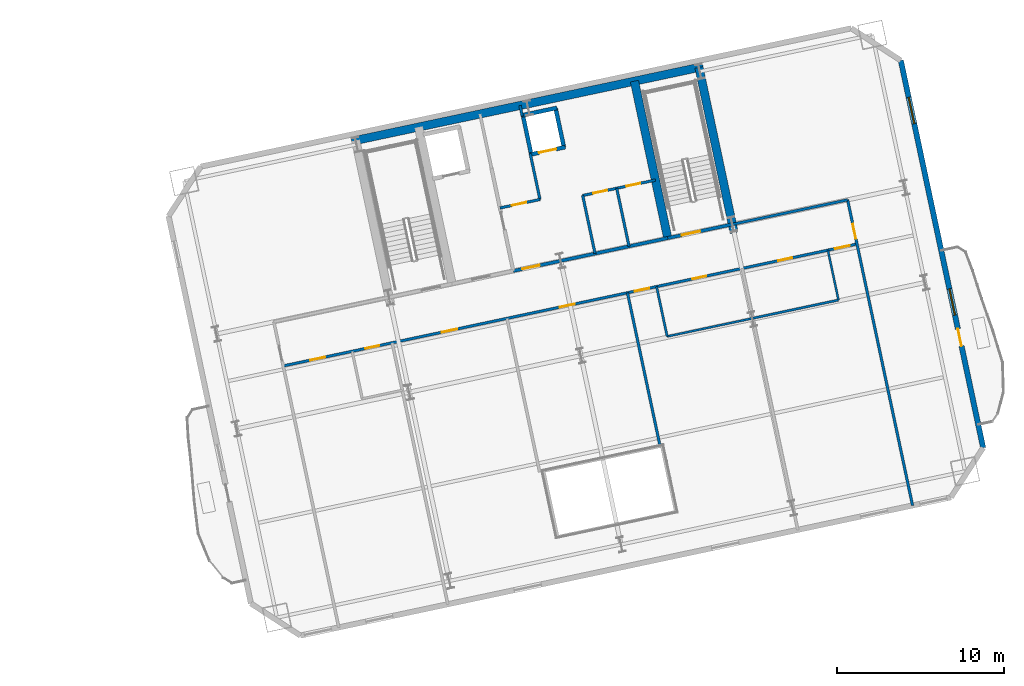
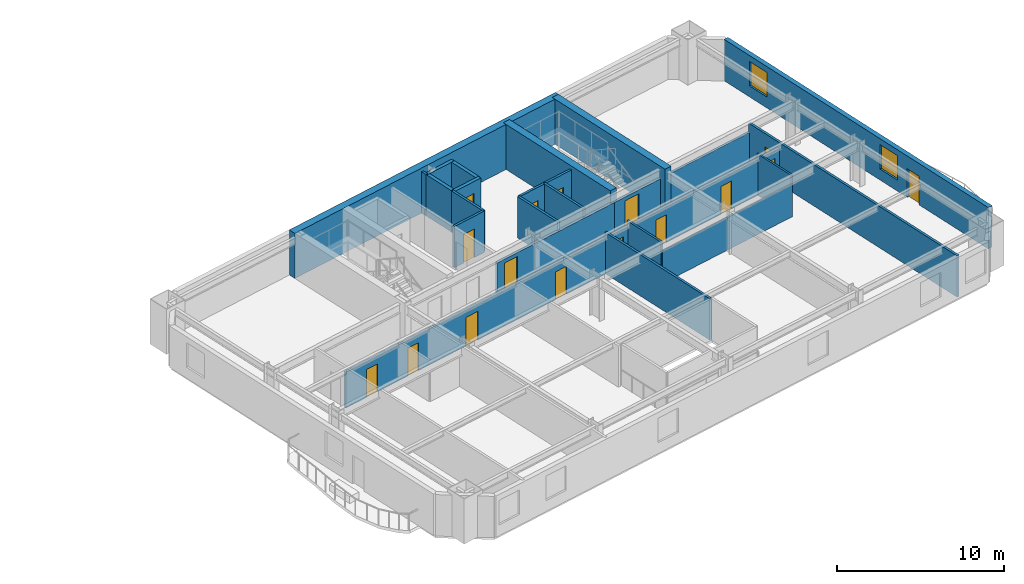
# One storey, part 8 of 14: 24 walls, 16 doors, 2 windows, 18 openings.
"""IFC4 building model written with IfcOpenShell, lengths in metres."""

from ifc_helpers import new_model, si_unit, direction, frame, frame_2d, origin, place, context, subcontext, project, spatial, rectangle, extrude, material, layer, layer_set, type_object, element, fill, save


model = new_model("IFC4")

# Units and contexts
model_context = context("Model", 3, precision=1e-05, world=origin(), true_north=direction((0.0, 1.0)))
body_context = subcontext(model_context, "Body", "Model", "MODEL_VIEW")
ifc_project = project(units=[si_unit("LENGTHUNIT", "METRE"), si_unit("AREAUNIT", "SQUARE_METRE"), si_unit("VOLUMEUNIT", "CUBIC_METRE"), si_unit("PLANEANGLEUNIT", "RADIAN"), si_unit("MASSUNIT", "GRAM", prefix="KILO")], contexts=[model_context])

# Site, building, storey
site_placement = place(None, origin())
site = spatial("IfcSite", under=ifc_project, at=site_placement, CompositionType="ELEMENT")
building_placement = place(site_placement, origin())
building = spatial("IfcBuilding", under=site, at=building_placement, Name="Haevon Station Towers", CompositionType="ELEMENT")
storey_placement = place(building_placement, frame((0.0, 0.0, 86.699951171875)))
storey = spatial("IfcBuildingStorey", under=building, at=storey_placement, Name="L22", CompositionType="ELEMENT", Elevation=86.699951171875)

# Wall, opening, door
ifc_material_1 = material(Name="Gypsum board on steel stud", Category="steel")
ifc_layer_1 = layer(ifc_material_1, 0.199951171875)
ifc_layer_set_1 = layer_set([ifc_layer_1], Name="Gypsum board on steel stud")
wall_type_1 = type_object("IfcWallType", Name="WL-COR200", PredefinedType="PARTITIONING", material=ifc_layer_set_1)
wall_1_placement = place(storey_placement, frame((115.4296875, 40.9873046875, 0.0), z_axis=(0.0, 0.0, 1.0), x_axis=(0.978146596989, 0.207916413008, 0.0)))
wall_1 = element("IfcWall", 1, at=wall_1_placement, inside=storey, type_object=wall_type_1, Name="WL-ST-ST4-L22", PredefinedType="PARTITIONING", context=body_context, shape_type="SweptSolid", body=[
    extrude(rectangle(XDim=3.9501953125, YDim=0.199951171875, at=frame_2d((1.97509765625, 0.0))), origin(), (0.0, 0.0, 1.0), 2.380126953125),
])
opening_1_placement = place(wall_1_placement, frame((0.85009765625, 0.0, 0.0)))
opening_1 = element("IfcOpeningElement", 2, at=opening_1_placement, cuts=wall_1, Name="Opening DR-ST-ST4-L22", PredefinedType="OPENING", context=body_context, shape_type="SweptSolid", body=[
    extrude(rectangle(XDim=1.1201171875, YDim=2.10009765625, at=frame_2d((0.56005859375, 1.050048828125))), frame((0.0, 0.10986328125, 0.0), z_axis=(0.0, -1.0, 0.0), x_axis=(1.0, 0.0, 0.0)), (0.0, 0.0, 1.0), 0.219970703125),
])
ifc_material_2 = material(Name="Engineered oak timber", Category="wood")
door_type_1 = type_object("IfcDoorType", Name="DR-ST-1120", OperationType="NOTDEFINED", PredefinedType="DOOR", material=ifc_material_2)
door_1_placement = place(opening_1_placement, origin())
door_1 = element("IfcDoor", 3, at=door_1_placement, inside=storey, type_object=door_type_1, Name="L22 Escape Stair ST4 Fire Door", OperationType="SINGLE_SWING_LEFT", OverallHeight=2.10009765625, OverallWidth=1.1201171875, PredefinedType="DOOR", context=body_context, shape_type="SweptSolid", body=[
    extrude(rectangle(XDim=1.1201171875, YDim=2.10009765625, at=frame_2d((0.56005859375, 1.050048828125))), frame((0.0, 0.02490234375, 0.0), z_axis=(0.0, -1.0, 0.0), x_axis=(1.0, 0.0, 0.0)), (0.0, 0.0, 1.0), 0.050048828125),
])
fill(opening_1, door_1)

wall_2_placement = place(storey_placement, frame((106.186279296875, 39.0224609375, 0.0), z_axis=(0.0, 0.0, 1.0), x_axis=(0.978145519981, 0.20792147975, 0.0)))
wall_2 = element("IfcWall", 4, at=wall_2_placement, inside=storey, type_object=wall_type_1, Name="WL-T2CLB-L22", PredefinedType="PARTITIONING", context=body_context, shape_type="SweptSolid", body=[
    extrude(rectangle(XDim=9.449951171875, YDim=0.199951171875, at=frame_2d((4.72509765625, 0.0))), origin(), (0.0, 0.0, 1.0), 2.380126953125),
])
opening_2_placement = place(wall_2_placement, frame((0.550048828125, 0.0, 0.0)))
opening_2 = element("IfcOpeningElement", 5, at=opening_2_placement, cuts=wall_2, Name="Opening DR-T2CLB-L22-1", PredefinedType="OPENING", context=body_context, shape_type="SweptSolid", body=[
    extrude(rectangle(XDim=1.050048828125, YDim=2.10009765625, at=frame_2d((0.52490234375, 1.050048828125))), frame((0.0, 0.10986328125, 0.0), z_axis=(0.0, -1.0, 0.0), x_axis=(1.0, 0.0, 0.0)), (0.0, 0.0, 1.0), 0.219970703125),
])
door_type_2 = type_object("IfcDoorType", Name="DR-FD60-1050", OperationType="NOTDEFINED", PredefinedType="DOOR", material=ifc_material_2)
door_2_placement = place(opening_2_placement, origin())
door_2 = element("IfcDoor", 6, at=door_2_placement, inside=storey, type_object=door_type_2, Name="L22 Tower 2 Core Lift Lobby Door 1", OperationType="SINGLE_SWING_RIGHT", OverallHeight=2.10009765625, OverallWidth=1.050048828125, PredefinedType="DOOR", context=body_context, shape_type="SweptSolid", body=[
    extrude(rectangle(XDim=1.050048828125, YDim=2.10009765625, at=frame_2d((0.52490234375, 1.050048828125))), frame((0.0, 0.02490234375, 0.0), z_axis=(0.0, -1.0, 0.0), x_axis=(1.0, 0.0, 0.0)), (0.0, 0.0, 1.0), 0.050048828125),
])
fill(opening_2, door_2)

# Walls
ifc_material_3 = material(Name="Concrete C60/75", Category="concrete")
ifc_layer_2 = layer(ifc_material_3, 0.5)
ifc_layer_set_2 = layer_set([ifc_layer_2], Name="Concrete C60/75")
wall_type_2 = type_object("IfcWallType", Name="WL-CR500", PredefinedType="SHEAR", material=ifc_layer_set_2)
wall_3_placement = place(storey_placement, frame((96.511962890625, 46.78076171875, 0.0), z_axis=(0.0, 0.0, 1.0), x_axis=(0.978148546782, 0.207907239961, 0.0)))
element("IfcWall", 7, at=wall_3_placement, inside=storey, type_object=wall_type_2, Name="WL-T2CR-L22-N", PredefinedType="SHEAR", context=body_context, shape_type="SweptSolid", body=[
    extrude(rectangle(XDim=21.499755859375, YDim=0.5, at=frame_2d((10.75, 0.0))), origin(), (0.0, 0.0, 1.0), 3.300048828125),
])
wall_4_placement = place(storey_placement, frame((119.401611328125, 41.2998046875, 0.0), z_axis=(0.0, 0.0, 1.0), x_axis=(-0.207904342798, 0.978149162575, 0.0)))
element("IfcWall", 8, at=wall_4_placement, inside=storey, type_object=wall_type_2, Name="WL-T2CR-L22-E", PredefinedType="SHEAR", context=body_context, shape_type="SweptSolid", body=[
    extrude(rectangle(XDim=10.1201171875, YDim=0.5, at=frame_2d((5.06005859375, 0.0))), origin(), (0.0, 0.0, 1.0), 3.300048828125),
])
wall_5_placement = place(storey_placement, frame((115.4296875, 40.9873046875, 0.0), z_axis=(0.0, 0.0, 1.0), x_axis=(-0.207903162969, 0.978149413345, 0.0)))
element("IfcWall", 9, at=wall_5_placement, inside=storey, type_object=wall_type_2, Name="WL-T2CR-L22-M2", PredefinedType="SHEAR", context=body_context, shape_type="SweptSolid", body=[
    extrude(rectangle(XDim=9.599853515625, YDim=0.5, at=frame_2d((4.7998046875, 0.0))), origin(), (0.0, 0.0, 1.0), 3.300048828125),
])

# Wall, openings, door, windows
ifc_material_4 = material(Name="Precast concrete C45/55", Category="concrete")
ifc_layer_3 = layer(ifc_material_4, 0.320068359375)
ifc_layer_set_3 = layer_set([ifc_layer_3], Name="Precast concrete C45/55")
wall_type_3 = type_object("IfcWallType", Name="WL-EXT-PIER320", PredefinedType="SOLIDWALL", material=ifc_layer_set_3)
wall_6_placement = place(storey_placement, frame((129.3740234375, 51.618896484375, 0.0), z_axis=(0.0, 0.0, 1.0), x_axis=(0.20791074704, -0.978147801339, 0.0)))
wall_6 = element("IfcWall", 10, at=wall_6_placement, inside=storey, type_object=wall_type_3, Name="WL-T2-L22-E", PredefinedType="SOLIDWALL", context=body_context, shape_type="SweptSolid", body=[
    extrude(rectangle(XDim=23.699951171875, YDim=0.320068359375, at=frame_2d((11.85009765625, 0.0))), origin(), (0.0, 0.0, 1.0), 3.030029296875),
])
opening_3_placement = place(wall_6_placement, frame((16.425048828125, 0.0, 0.0)))
opening_3 = element("IfcOpeningElement", 11, at=opening_3_placement, cuts=wall_6, Name="Opening DR-T2-SCAL-L22-E", PredefinedType="OPENING", context=body_context, shape_type="SweptSolid", body=[
    extrude(rectangle(XDim=1.050048828125, YDim=2.10009765625, at=frame_2d((0.52490234375, 1.050048828125))), frame((0.0, 0.169921875, 0.0), z_axis=(0.0, -1.0, 0.0), x_axis=(1.0, 0.0, 0.0)), (0.0, 0.0, 1.0), 0.340087890625),
])
opening_4_placement = place(wall_6_placement, frame((2.264404296875, 0.0, 0.800048828125)))
opening_4 = element("IfcOpeningElement", 12, at=opening_4_placement, cuts=wall_6, Name="Opening WN-END160", PredefinedType="OPENING", context=body_context, shape_type="SweptSolid", body=[
    extrude(rectangle(XDim=1.60009765625, YDim=1.800048828125, at=frame_2d((0.800048828125, 0.89990234375))), frame((0.0, 0.169921875, 0.0), z_axis=(0.0, -1.0, 0.0), x_axis=(1.0, 0.0, 0.0)), (0.0, 0.0, 1.0), 0.340087890625),
])
opening_5_placement = place(wall_6_placement, frame((13.978515625, 0.0, 0.800048828125)))
opening_5 = element("IfcOpeningElement", 13, at=opening_5_placement, cuts=wall_6, Name="Opening WN-END160", PredefinedType="OPENING", context=body_context, shape_type="SweptSolid", body=[
    extrude(rectangle(XDim=1.60009765625, YDim=1.800048828125, at=frame_2d((0.800048828125, 0.89990234375))), frame((0.0, 0.169921875, 0.0), z_axis=(0.0, -1.0, 0.0), x_axis=(1.0, 0.0, 0.0)), (0.0, 0.0, 1.0), 0.340087890625),
])
ifc_material_5 = material(Name="Thermally broken anodised aluminium and laminated safety glass", Category="aluminium")
door_type_3 = type_object("IfcDoorType", Name="DR-BALC-1050", OperationType="NOTDEFINED", PredefinedType="DOOR", material=ifc_material_5)
door_3_placement = place(opening_3_placement, origin())
door_3 = element("IfcDoor", 14, at=door_3_placement, inside=storey, type_object=door_type_3, Name="Tower 2 L22 East Scalloped Balcony Door", OperationType="SINGLE_SWING_RIGHT", OverallHeight=2.10009765625, OverallWidth=1.050048828125, PredefinedType="DOOR", context=body_context, shape_type="SweptSolid", body=[
    extrude(rectangle(XDim=1.050048828125, YDim=2.10009765625, at=frame_2d((0.52490234375, 1.050048828125))), frame((0.0, 0.02490234375, 0.0), z_axis=(0.0, -1.0, 0.0), x_axis=(1.0, 0.0, 0.0)), (0.0, 0.0, 1.0), 0.050048828125),
])
fill(opening_3, door_3)
ifc_material_6 = material(Name="Low-E triple glazing in thermally broken aluminium", Category="aluminium")
window_type = type_object("IfcWindowType", Name="WN-END160", PartitioningType="SINGLE_PANEL", PredefinedType="WINDOW", material=ifc_material_6)
window_1_placement = place(opening_4_placement, origin())
window_1 = element("IfcWindow", 15, at=window_1_placement, inside=storey, type_object=window_type, Name="WN-T2-L22-E01", OverallHeight=1.800048828125, OverallWidth=1.60009765625, PartitioningType="SINGLE_PANEL", PredefinedType="WINDOW", context=body_context, shape_type="SweptSolid", body=[
    extrude(rectangle(XDim=1.60009765625, YDim=1.800048828125, at=frame_2d((0.800048828125, 0.89990234375))), frame((0.0, 0.030029296875, 0.0), z_axis=(0.0, -1.0, 0.0), x_axis=(1.0, 0.0, 0.0)), (0.0, 0.0, 1.0), 0.06005859375),
])
fill(opening_4, window_1)
window_2_placement = place(opening_5_placement, origin())
window_2 = element("IfcWindow", 16, at=window_2_placement, inside=storey, type_object=window_type, Name="WN-T2-L22-E02", OverallHeight=1.800048828125, OverallWidth=1.60009765625, PartitioningType="SINGLE_PANEL", PredefinedType="WINDOW", context=body_context, shape_type="SweptSolid", body=[
    extrude(rectangle(XDim=1.60009765625, YDim=1.800048828125, at=frame_2d((0.800048828125, 0.89990234375))), frame((0.0, 0.030029296875, 0.0), z_axis=(0.0, -1.0, 0.0), x_axis=(1.0, 0.0, 0.0)), (0.0, 0.0, 1.0), 0.06005859375),
])
fill(opening_5, window_2)

# Walls
ifc_layer_4 = layer(ifc_material_1, 0.125)
ifc_layer_set_4 = layer_set([ifc_layer_4], Name="Gypsum board on steel stud")
wall_type_4 = type_object("IfcWallType", Name="WL-PRT125", PredefinedType="PARTITIONING", material=ifc_layer_set_4)
wall_7_placement = place(storey_placement, frame((115.392822265625, 35.10107421875, 0.0), z_axis=(0.0, 0.0, 1.0), x_axis=(0.978151508714, 0.207893304367, 0.0)))
element("IfcWall", 17, at=wall_7_placement, inside=storey, type_object=wall_type_4, Name="WL-T2PT-L22-15", PredefinedType="PARTITIONING", context=body_context, shape_type="SweptSolid", body=[
    extrude(rectangle(XDim=5.239990234375, YDim=0.125, at=frame_2d((2.6201171875, 0.0))), origin(), (0.0, 0.0, 1.0), 2.380126953125),
])
wall_8_placement = place(storey_placement, frame((125.643798828125, 37.27978515625, 0.0), z_axis=(0.0, 0.0, 1.0), x_axis=(-0.207877902534, 0.978154782045, 0.0)))
element("IfcWall", 18, at=wall_8_placement, inside=storey, type_object=wall_type_4, Name="WL-T2PT-L22-19", PredefinedType="PARTITIONING", context=body_context, shape_type="SweptSolid", body=[
    extrude(rectangle(XDim=3.050048828125, YDim=0.125, at=frame_2d((1.52490234375, 0.0))), origin(), (0.0, 0.0, 1.0), 3.030029296875),
])
ifc_layer_5 = layer(ifc_material_1, 0.139892578125)
ifc_layer_set_5 = layer_set([ifc_layer_5], Name="Gypsum board on steel stud")
wall_type_5 = type_object("IfcWallType", Name="WL-PRT140", PredefinedType="PARTITIONING", material=ifc_layer_set_5)
wall_9_placement = place(storey_placement, frame((115.392822265625, 35.10107421875, 0.0), z_axis=(0.0, 0.0, 1.0), x_axis=(-0.207970769876, 0.978135041228, 0.0)))
element("IfcWall", 19, at=wall_9_placement, inside=storey, type_object=wall_type_5, Name="WL-T2PT-L22-16", PredefinedType="PARTITIONING", context=body_context, shape_type="SweptSolid", body=[
    extrude(rectangle(XDim=3.0498046875, YDim=0.139892578125, at=frame_2d((1.52490234375, 0.0))), origin(), (0.0, 0.0, 1.0), 3.030029296875),
])
wall_10_placement = place(storey_placement, frame((120.518310546875, 36.1904296875, 0.0), z_axis=(0.0, 0.0, 1.0), x_axis=(0.978151508714, 0.207893304367, 0.0)))
element("IfcWall", 20, at=wall_10_placement, inside=storey, type_object=wall_type_5, Name="WL-T2PT-L22-18", PredefinedType="PARTITIONING", context=body_context, shape_type="SweptSolid", body=[
    extrude(rectangle(XDim=5.239990234375, YDim=0.139892578125, at=frame_2d((2.6201171875, 0.0))), origin(), (0.0, 0.0, 1.0), 2.380126953125),
])

# Wall, opening, door
ifc_layer_6 = layer(ifc_material_1, 0.159912109375)
ifc_layer_set_6 = layer_set([ifc_layer_6], Name="Gypsum board on steel stud")
wall_type_6 = type_object("IfcWallType", Name="WL-PRT160", PredefinedType="PARTITIONING", material=ifc_layer_set_6)
wall_11_placement = place(storey_placement, frame((105.3857421875, 42.788330078125, 0.0), z_axis=(0.0, 0.0, 1.0), x_axis=(0.978136559131, 0.207963630695, 0.0)))
wall_11 = element("IfcWall", 21, at=wall_11_placement, inside=storey, type_object=wall_type_6, Name="WL-T2CW-L22-02", PredefinedType="PARTITIONING", context=body_context, shape_type="SweptSolid", body=[
    extrude(rectangle(XDim=2.449951171875, YDim=0.159912109375, at=frame_2d((1.22509765625, 0.0))), origin(), (0.0, 0.0, 1.0), 3.030029296875),
])
opening_6_placement = place(wall_11_placement, frame((0.719970703125, 0.0, 0.0)))
opening_6 = element("IfcOpeningElement", 22, at=opening_6_placement, cuts=wall_11, Name="Opening DR-WL-T2CW-L22-02-1", PredefinedType="OPENING", context=body_context, shape_type="SweptSolid", body=[
    extrude(rectangle(XDim=0.89990234375, YDim=2.10009765625, at=frame_2d((0.449951171875, 1.050048828125))), frame((0.0, 0.08984375, 0.0), z_axis=(0.0, -1.0, 0.0), x_axis=(1.0, 0.0, 0.0)), (0.0, 0.0, 1.0), 0.179931640625),
])
door_type_4 = type_object("IfcDoorType", Name="DR-FD60-900", OperationType="NOTDEFINED", PredefinedType="DOOR", material=ifc_material_2)
door_4_placement = place(opening_6_placement, origin())
door_4 = element("IfcDoor", 23, at=door_4_placement, inside=storey, type_object=door_type_4, Name="L22 Tower 2 Core Room Door 2-1", OperationType="SINGLE_SWING_LEFT", OverallHeight=2.10009765625, OverallWidth=0.89990234375, PredefinedType="DOOR", context=body_context, shape_type="SweptSolid", body=[
    extrude(rectangle(XDim=0.89990234375, YDim=2.10009765625, at=frame_2d((0.449951171875, 1.050048828125))), frame((0.0, 0.02490234375, 0.0), z_axis=(0.0, -1.0, 0.0), x_axis=(1.0, 0.0, 0.0)), (0.0, 0.0, 1.0), 0.050048828125),
])
fill(opening_6, door_4)

# Walls
wall_12_placement = place(storey_placement, frame((107.7822265625, 43.2978515625, 0.0), z_axis=(0.0, 0.0, 1.0), x_axis=(-0.207873355681, 0.978155748334, 0.0)))
element("IfcWall", 24, at=wall_12_placement, inside=storey, type_object=wall_type_6, Name="WL-T2CW-L22-03", PredefinedType="PARTITIONING", context=body_context, shape_type="SweptSolid", body=[
    extrude(rectangle(XDim=2.800048828125, YDim=0.159912109375, at=frame_2d((1.39990234375, 0.0))), origin(), (0.0, 0.0, 1.0), 3.030029296875),
])
wall_13_placement = place(storey_placement, frame((106.721923828125, 48.286376953125, 0.0), z_axis=(0.0, 0.0, 1.0), x_axis=(-0.208092352933, 0.978109182377, 0.0)))
element("IfcWall", 25, at=wall_13_placement, inside=storey, type_object=wall_type_6, Name="WL-T2CW-L22-04", PredefinedType="PARTITIONING", context=body_context, shape_type="SweptSolid", body=[
    extrude(rectangle(XDim=0.64990234375, YDim=0.159912109375, at=frame_2d((0.324951171875, 0.0))), origin(), (0.0, 0.0, 1.0), 3.030029296875),
])
for number, where, z_axis, x_axis, name in (
    (26, (111.076904296875, 40.06201171875, 0.0), (0.0, 0.0, 1.0), (-0.207899058817, 0.978150285663, 0.0), "WL-T2CW-L22-05"),
    (27, (113.111572265625, 40.49462890625, 0.0), (0.0, 0.0, 1.0), (-0.207899058817, 0.978150285663, 0.0), "WL-T2CW-L22-06"),
):
    element("IfcWall", number, at=place(storey_placement, frame(where, z_axis=z_axis, x_axis=x_axis)), inside=storey, type_object=wall_type_6, Name=name, PredefinedType="PARTITIONING", context=body_context, shape_type="SweptSolid", body=[
        extrude(rectangle(XDim=3.550048828125, YDim=0.159912109375, at=frame_2d((1.77490234375, 0.0))), origin(), (0.0, 0.0, 1.0), 3.030029296875),
    ])

# Wall, openings, doors
wall_14_placement = place(storey_placement, frame((110.3388671875, 43.534423828125, 0.0), z_axis=(0.0, 0.0, 1.0), x_axis=(0.978143929138, 0.207928963567, 0.0)))
wall_14 = element("IfcWall", 28, at=wall_14_placement, inside=storey, type_object=wall_type_6, Name="WL-T2CW-L22-07", PredefinedType="PARTITIONING", context=body_context, shape_type="SweptSolid", body=[
    extrude(rectangle(XDim=4.449951171875, YDim=0.159912109375, at=frame_2d((2.22509765625, 0.0))), origin(), (0.0, 0.0, 1.0), 3.030029296875),
])
opening_7_placement = place(wall_14_placement, frame((0.635009765625, 0.0, 0.0)))
opening_7 = element("IfcOpeningElement", 29, at=opening_7_placement, cuts=wall_14, Name="Opening DR-WL-T2CW-L22-07-1", PredefinedType="OPENING", context=body_context, shape_type="SweptSolid", body=[
    extrude(rectangle(XDim=0.85009765625, YDim=2.050048828125, at=frame_2d((0.425048828125, 1.02490234375))), frame((0.0, 0.08984375, 0.0), z_axis=(0.0, -1.0, 0.0), x_axis=(1.0, 0.0, 0.0)), (0.0, 0.0, 1.0), 0.179931640625),
])
opening_8_placement = place(wall_14_placement, frame((2.679931640625, 0.0, 0.0)))
opening_8 = element("IfcOpeningElement", 30, at=opening_8_placement, cuts=wall_14, Name="Opening DR-WL-T2CW-L22-07-2", PredefinedType="OPENING", context=body_context, shape_type="SweptSolid", body=[
    extrude(rectangle(XDim=0.85009765625, YDim=2.050048828125, at=frame_2d((0.425048828125, 1.02490234375))), frame((0.0, 0.08984375, 0.0), z_axis=(0.0, -1.0, 0.0), x_axis=(1.0, 0.0, 0.0)), (0.0, 0.0, 1.0), 0.179931640625),
])
door_type_5 = type_object("IfcDoorType", Name="DR-FD30-850", OperationType="NOTDEFINED", PredefinedType="DOOR", material=ifc_material_2)
door_5_placement = place(opening_7_placement, origin())
door_5 = element("IfcDoor", 31, at=door_5_placement, inside=storey, type_object=door_type_5, Name="L22 Tower 2 Core Room Door 7-1", OperationType="SINGLE_SWING_RIGHT", OverallHeight=2.050048828125, OverallWidth=0.85009765625, PredefinedType="DOOR", context=body_context, shape_type="SweptSolid", body=[
    extrude(rectangle(XDim=0.85009765625, YDim=2.050048828125, at=frame_2d((0.425048828125, 1.02490234375))), frame((0.0, 0.02490234375, 0.0), z_axis=(0.0, -1.0, 0.0), x_axis=(1.0, 0.0, 0.0)), (0.0, 0.0, 1.0), 0.050048828125),
])
fill(opening_7, door_5)
door_6_placement = place(opening_8_placement, origin())
door_6 = element("IfcDoor", 32, at=door_6_placement, inside=storey, type_object=door_type_5, Name="L22 Tower 2 Core Room Door 7-2", OperationType="SINGLE_SWING_LEFT", OverallHeight=2.050048828125, OverallWidth=0.85009765625, PredefinedType="DOOR", context=body_context, shape_type="SweptSolid", body=[
    extrude(rectangle(XDim=0.85009765625, YDim=2.050048828125, at=frame_2d((0.425048828125, 1.02490234375))), frame((0.0, 0.02490234375, 0.0), z_axis=(0.0, -1.0, 0.0), x_axis=(1.0, 0.0, 0.0)), (0.0, 0.0, 1.0), 0.050048828125),
])
fill(opening_8, door_6)

# Wall
wall_15_placement = place(storey_placement, frame((119.29345703125, 41.80859375, 0.0), z_axis=(0.0, 0.0, 1.0), x_axis=(0.978146703791, 0.207915910556, 0.0)))
element("IfcWall", 33, at=wall_15_placement, inside=storey, type_object=wall_type_6, Name="WL-T2PT-L22-02", PredefinedType="PARTITIONING", context=body_context, shape_type="SweptSolid", body=[
    extrude(rectangle(XDim=7.050048828125, YDim=0.159912109375, at=frame_2d((3.52490234375, 0.0))), origin(), (0.0, 0.0, 1.0), 2.380126953125),
])

# Wall, opening, door
wall_16_placement = place(storey_placement, frame((130.077392578125, 24.98291015625, 0.0), z_axis=(0.0, 0.0, 1.0), x_axis=(-0.207909658332, 0.97814803275, 0.0)))
wall_16 = element("IfcWall", 34, at=wall_16_placement, inside=storey, type_object=wall_type_6, Name="WL-T2PT-L22-04", PredefinedType="PARTITIONING", context=body_context, shape_type="SweptSolid", body=[
    extrude(rectangle(XDim=18.7001953125, YDim=0.159912109375, at=frame_2d((9.35009765625, 0.0))), origin(), (0.0, 0.0, 1.0), 3.030029296875),
])
opening_9_placement = place(wall_16_placement, frame((16.320068359375, 0.0, 0.0)))
opening_9 = element("IfcOpeningElement", 35, at=opening_9_placement, cuts=wall_16, Name="Opening DR-WL-T2PT-L22-04-01", PredefinedType="OPENING", context=body_context, shape_type="SweptSolid", body=[
    extrude(rectangle(XDim=0.89990234375, YDim=2.050048828125, at=frame_2d((0.449951171875, 1.02490234375))), frame((0.0, 0.08984375, 0.0), z_axis=(0.0, -1.0, 0.0), x_axis=(1.0, 0.0, 0.0)), (0.0, 0.0, 1.0), 0.179931640625),
])
door_type_6 = type_object("IfcDoorType", Name="DR-INT-900", OperationType="NOTDEFINED", PredefinedType="DOOR", material=ifc_material_2)
door_7_placement = place(opening_9_placement, origin())
door_7 = element("IfcDoor", 36, at=door_7_placement, inside=storey, type_object=door_type_6, Name="L22 Tower 2 Room Door 4-1", OperationType="SINGLE_SWING_LEFT", OverallHeight=2.050048828125, OverallWidth=0.89990234375, PredefinedType="DOOR", context=body_context, shape_type="SweptSolid", body=[
    extrude(rectangle(XDim=0.89990234375, YDim=2.050048828125, at=frame_2d((0.449951171875, 1.02490234375))), frame((0.0, 0.02490234375, 0.0), z_axis=(0.0, -1.0, 0.0), x_axis=(1.0, 0.0, 0.0)), (0.0, 0.0, 1.0), 0.050048828125),
])
fill(opening_9, door_7)

# Wall
wall_17_placement = place(storey_placement, frame((114.971923828125, 28.519775390625, 0.0), z_axis=(0.0, 0.0, 1.0), x_axis=(-0.207909388017, 0.978148090206, 0.0)))
element("IfcWall", 37, at=wall_17_placement, inside=storey, type_object=wall_type_6, Name="WL-T2PT-L22-13", PredefinedType="PARTITIONING", context=body_context, shape_type="SweptSolid", body=[
    extrude(rectangle(XDim=9.39990234375, YDim=0.159912109375, at=frame_2d((4.699951171875, 0.0))), origin(), (0.0, 0.0, 1.0), 3.030029296875),
])

# Wall, openings, doors
wall_18_placement = place(storey_placement, frame((92.417724609375, 33.335693359375, 0.0), z_axis=(0.0, 0.0, 1.0), x_axis=(0.978148172424, 0.207909001208, 0.0)))
wall_18 = element("IfcWall", 38, at=wall_18_placement, inside=storey, type_object=wall_type_6, Name="WL-T2PT-L22-20", PredefinedType="PARTITIONING", context=body_context, shape_type="SweptSolid", body=[
    extrude(rectangle(XDim=35.10009765625, YDim=0.159912109375, at=frame_2d((17.550048828125, 0.0))), origin(), (0.0, 0.0, 1.0), 2.630126953125),
])
opening_10_placement = place(wall_18_placement, frame((5.01904296875, 0.0, 0.0)))
opening_10 = element("IfcOpeningElement", 39, at=opening_10_placement, cuts=wall_18, Name="Opening DR-WL-T2PT-L22-20-01", PredefinedType="OPENING", context=body_context, shape_type="SweptSolid", body=[
    extrude(rectangle(XDim=0.85009765625, YDim=2.050048828125, at=frame_2d((0.425048828125, 1.02490234375))), frame((0.0, 0.08984375, 0.0), z_axis=(0.0, -1.0, 0.0), x_axis=(1.0, 0.0, 0.0)), (0.0, 0.0, 1.0), 0.179931640625),
])
opening_11_placement = place(wall_18_placement, frame((1.659912109375, 0.0, 0.0)))
opening_11 = element("IfcOpeningElement", 40, at=opening_11_placement, cuts=wall_18, Name="Opening DR-WL-T2PT-L22-20-02", PredefinedType="OPENING", context=body_context, shape_type="SweptSolid", body=[
    extrude(rectangle(XDim=0.89990234375, YDim=2.050048828125, at=frame_2d((0.449951171875, 1.02490234375))), frame((0.0, 0.08984375, 0.0), z_axis=(0.0, -1.0, 0.0), x_axis=(1.0, 0.0, 0.0)), (0.0, 0.0, 1.0), 0.179931640625),
])
opening_12_placement = place(wall_18_placement, frame((9.7041015625, 0.0, 0.0)))
opening_12 = element("IfcOpeningElement", 41, at=opening_12_placement, cuts=wall_18, Name="Opening DR-WL-T2PT-L22-20-03", PredefinedType="OPENING", context=body_context, shape_type="SweptSolid", body=[
    extrude(rectangle(XDim=0.949951171875, YDim=2.10009765625, at=frame_2d((0.47509765625, 1.050048828125))), frame((0.0, 0.08984375, 0.0), z_axis=(0.0, -1.0, 0.0), x_axis=(1.0, 0.0, 0.0)), (0.0, 0.0, 1.0), 0.179931640625),
])
opening_13_placement = place(wall_18_placement, frame((16.925048828125, 0.0, 0.0)))
opening_13 = element("IfcOpeningElement", 42, at=opening_13_placement, cuts=wall_18, Name="Opening DR-WL-T2PT-L22-20-04", PredefinedType="OPENING", context=body_context, shape_type="SweptSolid", body=[
    extrude(rectangle(XDim=0.89990234375, YDim=2.050048828125, at=frame_2d((0.449951171875, 1.02490234375))), frame((0.0, 0.08984375, 0.0), z_axis=(0.0, -1.0, 0.0), x_axis=(1.0, 0.0, 0.0)), (0.0, 0.0, 1.0), 0.179931640625),
])
opening_14_placement = place(wall_18_placement, frame((25.034912109375, 0.0, 0.0)))
opening_14 = element("IfcOpeningElement", 43, at=opening_14_placement, cuts=wall_18, Name="Opening DR-WL-T2PT-L22-20-05", PredefinedType="OPENING", context=body_context, shape_type="SweptSolid", body=[
    extrude(rectangle(XDim=0.85009765625, YDim=2.050048828125, at=frame_2d((0.425048828125, 1.02490234375))), frame((0.0, 0.08984375, 0.0), z_axis=(0.0, -1.0, 0.0), x_axis=(1.0, 0.0, 0.0)), (0.0, 0.0, 1.0), 0.179931640625),
])
opening_15_placement = place(wall_18_placement, frame((21.5, 0.0, 0.0)))
opening_15 = element("IfcOpeningElement", 44, at=opening_15_placement, cuts=wall_18, Name="Opening DR-WL-T2PT-L22-20-06", PredefinedType="OPENING", context=body_context, shape_type="SweptSolid", body=[
    extrude(rectangle(XDim=0.89990234375, YDim=2.050048828125, at=frame_2d((0.449951171875, 1.02490234375))), frame((0.0, 0.08984375, 0.0), z_axis=(0.0, -1.0, 0.0), x_axis=(1.0, 0.0, 0.0)), (0.0, 0.0, 1.0), 0.179931640625),
])
opening_16_placement = place(wall_18_placement, frame((30.27490234375, 0.0, 0.0)))
opening_16 = element("IfcOpeningElement", 45, at=opening_16_placement, cuts=wall_18, Name="Opening DR-WL-T2PT-L22-20-07", PredefinedType="OPENING", context=body_context, shape_type="SweptSolid", body=[
    extrude(rectangle(XDim=0.85009765625, YDim=2.050048828125, at=frame_2d((0.425048828125, 1.02490234375))), frame((0.0, 0.08984375, 0.0), z_axis=(0.0, -1.0, 0.0), x_axis=(1.0, 0.0, 0.0)), (0.0, 0.0, 1.0), 0.179931640625),
])
opening_17_placement = place(wall_18_placement, frame((33.760009765625, 0.0, 0.0)))
opening_17 = element("IfcOpeningElement", 46, at=opening_17_placement, cuts=wall_18, Name="Opening DR-WL-T2PT-L22-20-08", PredefinedType="OPENING", context=body_context, shape_type="SweptSolid", body=[
    extrude(rectangle(XDim=0.89990234375, YDim=2.050048828125, at=frame_2d((0.449951171875, 1.02490234375))), frame((0.0, 0.08984375, 0.0), z_axis=(0.0, -1.0, 0.0), x_axis=(1.0, 0.0, 0.0)), (0.0, 0.0, 1.0), 0.179931640625),
])
door_8_placement = place(opening_10_placement, origin())
door_8 = element("IfcDoor", 47, at=door_8_placement, inside=storey, type_object=door_type_5, Name="L22 Tower 2 Room Door 20-1", OperationType="SINGLE_SWING_RIGHT", OverallHeight=2.050048828125, OverallWidth=0.85009765625, PredefinedType="DOOR", context=body_context, shape_type="SweptSolid", body=[
    extrude(rectangle(XDim=0.85009765625, YDim=2.050048828125, at=frame_2d((0.425048828125, 1.02490234375))), frame((0.0, 0.02490234375, 0.0), z_axis=(0.0, -1.0, 0.0), x_axis=(1.0, 0.0, 0.0)), (0.0, 0.0, 1.0), 0.050048828125),
])
fill(opening_10, door_8)
door_9_placement = place(opening_14_placement, origin())
door_9 = element("IfcDoor", 48, at=door_9_placement, inside=storey, type_object=door_type_5, Name="L22 Tower 2 Room Door 20-5", OperationType="SINGLE_SWING_RIGHT", OverallHeight=2.050048828125, OverallWidth=0.85009765625, PredefinedType="DOOR", context=body_context, shape_type="SweptSolid", body=[
    extrude(rectangle(XDim=0.85009765625, YDim=2.050048828125, at=frame_2d((0.425048828125, 1.02490234375))), frame((0.0, 0.02490234375, 0.0), z_axis=(0.0, -1.0, 0.0), x_axis=(1.0, 0.0, 0.0)), (0.0, 0.0, 1.0), 0.050048828125),
])
fill(opening_14, door_9)
door_10_placement = place(opening_16_placement, origin())
door_10 = element("IfcDoor", 49, at=door_10_placement, inside=storey, type_object=door_type_5, Name="L22 Tower 2 Room Door 20-7", OperationType="SINGLE_SWING_RIGHT", OverallHeight=2.050048828125, OverallWidth=0.85009765625, PredefinedType="DOOR", context=body_context, shape_type="SweptSolid", body=[
    extrude(rectangle(XDim=0.85009765625, YDim=2.050048828125, at=frame_2d((0.425048828125, 1.02490234375))), frame((0.0, 0.02490234375, 0.0), z_axis=(0.0, -1.0, 0.0), x_axis=(1.0, 0.0, 0.0)), (0.0, 0.0, 1.0), 0.050048828125),
])
fill(opening_16, door_10)
door_type_7 = type_object("IfcDoorType", Name="DR-FD30-950", OperationType="NOTDEFINED", PredefinedType="DOOR", material=ifc_material_2)
door_11_placement = place(opening_12_placement, origin())
door_11 = element("IfcDoor", 50, at=door_11_placement, inside=storey, type_object=door_type_7, Name="L22 Tower 2 Room Door 20-3", OperationType="SINGLE_SWING_RIGHT", OverallHeight=2.10009765625, OverallWidth=0.949951171875, PredefinedType="DOOR", context=body_context, shape_type="SweptSolid", body=[
    extrude(rectangle(XDim=0.949951171875, YDim=2.10009765625, at=frame_2d((0.47509765625, 1.050048828125))), frame((0.0, 0.02490234375, 0.0), z_axis=(0.0, -1.0, 0.0), x_axis=(1.0, 0.0, 0.0)), (0.0, 0.0, 1.0), 0.050048828125),
])
fill(opening_12, door_11)
door_12_placement = place(opening_11_placement, origin())
door_12 = element("IfcDoor", 51, at=door_12_placement, inside=storey, type_object=door_type_6, Name="L22 Tower 2 Room Door 20-2", OperationType="SINGLE_SWING_LEFT", OverallHeight=2.050048828125, OverallWidth=0.89990234375, PredefinedType="DOOR", context=body_context, shape_type="SweptSolid", body=[
    extrude(rectangle(XDim=0.89990234375, YDim=2.050048828125, at=frame_2d((0.449951171875, 1.02490234375))), frame((0.0, 0.02490234375, 0.0), z_axis=(0.0, -1.0, 0.0), x_axis=(1.0, 0.0, 0.0)), (0.0, 0.0, 1.0), 0.050048828125),
])
fill(opening_11, door_12)
door_13_placement = place(opening_13_placement, origin())
door_13 = element("IfcDoor", 52, at=door_13_placement, inside=storey, type_object=door_type_6, Name="L22 Tower 2 Room Door 20-4", OperationType="SINGLE_SWING_LEFT", OverallHeight=2.050048828125, OverallWidth=0.89990234375, PredefinedType="DOOR", context=body_context, shape_type="SweptSolid", body=[
    extrude(rectangle(XDim=0.89990234375, YDim=2.050048828125, at=frame_2d((0.449951171875, 1.02490234375))), frame((0.0, 0.02490234375, 0.0), z_axis=(0.0, -1.0, 0.0), x_axis=(1.0, 0.0, 0.0)), (0.0, 0.0, 1.0), 0.050048828125),
])
fill(opening_13, door_13)
door_14_placement = place(opening_15_placement, origin())
door_14 = element("IfcDoor", 53, at=door_14_placement, inside=storey, type_object=door_type_6, Name="L22 Tower 2 Room Door 20-6", OperationType="SINGLE_SWING_LEFT", OverallHeight=2.050048828125, OverallWidth=0.89990234375, PredefinedType="DOOR", context=body_context, shape_type="SweptSolid", body=[
    extrude(rectangle(XDim=0.89990234375, YDim=2.050048828125, at=frame_2d((0.449951171875, 1.02490234375))), frame((0.0, 0.02490234375, 0.0), z_axis=(0.0, -1.0, 0.0), x_axis=(1.0, 0.0, 0.0)), (0.0, 0.0, 1.0), 0.050048828125),
])
fill(opening_15, door_14)
door_15_placement = place(opening_17_placement, origin())
door_15 = element("IfcDoor", 54, at=door_15_placement, inside=storey, type_object=door_type_6, Name="L22 Tower 2 Room Door 20-8", OperationType="SINGLE_SWING_LEFT", OverallHeight=2.050048828125, OverallWidth=0.89990234375, PredefinedType="DOOR", context=body_context, shape_type="SweptSolid", body=[
    extrude(rectangle(XDim=0.89990234375, YDim=2.050048828125, at=frame_2d((0.449951171875, 1.02490234375))), frame((0.0, 0.02490234375, 0.0), z_axis=(0.0, -1.0, 0.0), x_axis=(1.0, 0.0, 0.0)), (0.0, 0.0, 1.0), 0.050048828125),
])
fill(opening_17, door_15)

# Wall, opening, door
ifc_material_7 = material(Name="Concrete C40/50", Category="concrete")
ifc_layer_7 = layer(ifc_material_7, 0.239990234375)
ifc_layer_set_7 = layer_set([ifc_layer_7], Name="Concrete C40/50")
wall_type_7 = type_object("IfcWallType", Name="WL-SHF240", PredefinedType="PARTITIONING", material=ifc_layer_set_7)
wall_19_placement = place(storey_placement, frame((107.18115234375, 45.9814453125, 0.0), z_axis=(0.0, 0.0, 1.0), x_axis=(0.97813528961, 0.207969601673, 0.0)))
wall_19 = element("IfcWall", 55, at=wall_19_placement, inside=storey, type_object=wall_type_7, Name="WL-SHF-PL8-L22", PredefinedType="PARTITIONING", context=body_context, shape_type="SweptSolid", body=[
    extrude(rectangle(XDim=2.159912109375, YDim=0.239990234375, at=frame_2d((1.080078125, 0.0))), origin(), (0.0, 0.0, 1.0), 3.030029296875),
])
opening_18_placement = place(wall_19_placement, frame((0.554931640625, 0.0, 0.0)))
opening_18 = element("IfcOpeningElement", 56, at=opening_18_placement, cuts=wall_19, Name="Opening LD-PL8-L22", PredefinedType="OPENING", context=body_context, shape_type="SweptSolid", body=[
    extrude(rectangle(XDim=1.050048828125, YDim=2.14990234375, at=frame_2d((0.52490234375, 1.074951171875))), frame((0.0, 0.1298828125, 0.0), z_axis=(0.0, -1.0, 0.0), x_axis=(1.0, 0.0, 0.0)), (0.0, 0.0, 1.0), 0.260009765625),
])
ifc_material_8 = material(Name="Stainless steel and rated core", Category="steel")
door_type_8 = type_object("IfcDoorType", Name="LD-PL1050", OperationType="SLIDING_TO_LEFT", PredefinedType="DOOR", material=ifc_material_8)
door_16_placement = place(opening_18_placement, origin())
door_16 = element("IfcDoor", 57, at=door_16_placement, inside=storey, type_object=door_type_8, Name="L22 Lift PL8 Sliding Landing Door", OperationType="SLIDING_TO_LEFT", OverallHeight=2.14990234375, OverallWidth=1.050048828125, PredefinedType="DOOR", context=body_context, shape_type="SweptSolid", body=[
    extrude(rectangle(XDim=1.050048828125, YDim=2.14990234375, at=frame_2d((0.52490234375, 1.074951171875))), frame((0.0, 0.02490234375, 0.0), z_axis=(0.0, -1.0, 0.0), x_axis=(1.0, 0.0, 0.0)), (0.0, 0.0, 1.0), 0.050048828125),
])
fill(opening_18, door_16)

# Walls
wall_20_placement = place(storey_placement, frame((106.68212890625, 48.3291015625, 0.0), z_axis=(0.0, 0.0, 1.0), x_axis=(0.978158276388, 0.207861459473, 0.0)))
element("IfcWall", 58, at=wall_20_placement, inside=storey, type_object=wall_type_7, Name="WL-SHF-PL8-L22-N", PredefinedType="PARTITIONING", context=body_context, shape_type="SweptSolid", body=[
    extrude(rectangle(XDim=2.159912109375, YDim=0.239990234375, at=frame_2d((1.080078125, 0.0))), origin(), (0.0, 0.0, 1.0), 3.030029296875),
])
for number, where, z_axis, x_axis, name in (
    (59, (107.259521484375, 45.998046875, 0.0), (0.0, 0.0, 1.0), (-0.207917150959, 0.978146440129, 0.0), "WL-SHF-PL8-L22-W"),
    (60, (109.2158203125, 46.413818359375, 0.0), (0.0, 0.0, 1.0), (-0.207917150959, 0.978146440129, 0.0), "WL-SHF-PL8-L22-E"),
):
    element("IfcWall", number, at=place(storey_placement, frame(where, z_axis=z_axis, x_axis=x_axis)), inside=storey, type_object=wall_type_7, Name=name, PredefinedType="PARTITIONING", context=body_context, shape_type="SweptSolid", body=[
        extrude(rectangle(XDim=2.400146484375, YDim=0.239990234375, at=frame_2d((1.2001953125, 0.0))), origin(), (0.0, 0.0, 1.0), 3.030029296875),
    ])

save(model, "model.ifc")
